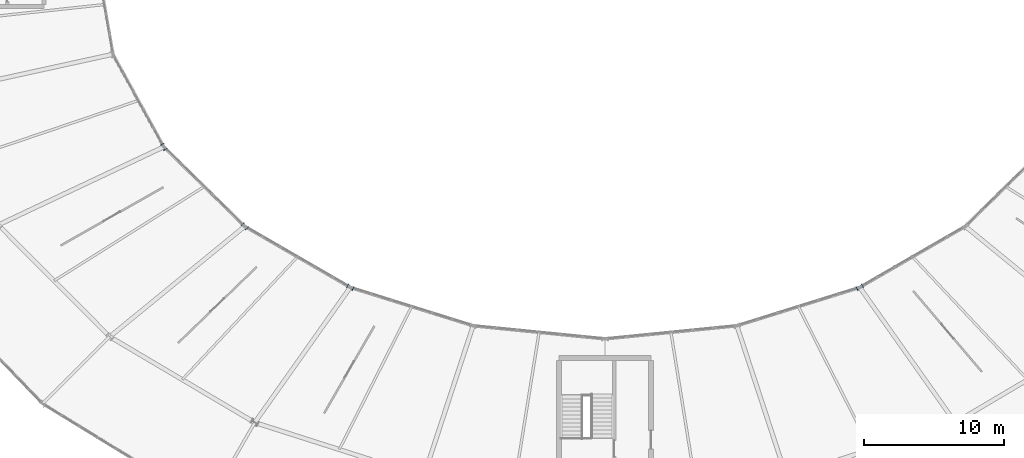
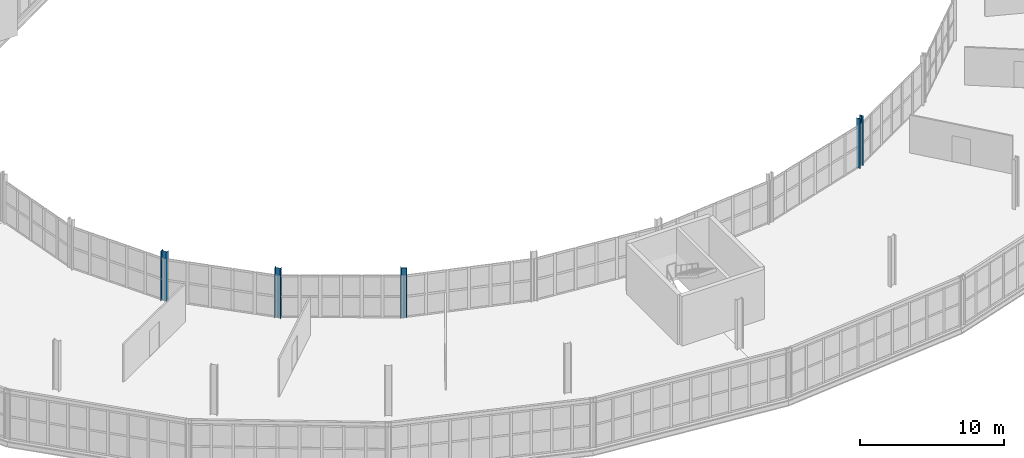
# One storey, part 13 of 161: 4 columns.
"""IFC4 building model written with IfcOpenShell, lengths in metres."""

import ifcopenshell
import ifcopenshell.guid

model = None  # the IFC model being written
_history = None  # IfcOwnerHistory: only IFC2X3 demands one
_inside = {}  # id of a spatial element -> (the spatial element, [elements in it])
_under = {}  # id of a project, library or spatial element -> (it, [spatial elements below it])
_declared = {}  # id of a project -> (the project, [libraries it declares])
_typed = {}  # id of a type object -> (the type object, [elements of that type])
_made_of = {}  # id of a material, layer set ... -> (it, [elements and type objects made of it])


def new_model(schema):
    """Start an empty IFC model of exactly this schema.

    Asked for "IFC4X3", IfcOpenShell would pick the latest addendum, in which some entities
    have other attributes; the version numbers below select the first issue.
    IFC2X3 requires an IfcOwnerHistory on every rooted entity: one is made here for all.
    """
    global model, _history
    if schema == "IFC4X3":
        model = ifcopenshell.file(schema_version=(4, 3, 0, 0))
    else:
        model = ifcopenshell.file(schema=schema)
    _inside.clear()
    _under.clear()
    _declared.clear()
    _typed.clear()
    _made_of.clear()
    _history = None
    if model.schema == "IFC2X3":
        org = make("IfcOrganization", Name="unknown")
        user = make(
            "IfcPersonAndOrganization",
            ThePerson=make("IfcPerson", FamilyName="unknown"),
            TheOrganization=org,
        )
        app = make(
            "IfcApplication",
            ApplicationDeveloper=org,
            Version="unknown",
            ApplicationFullName="unknown",
            ApplicationIdentifier="unknown",
        )
        _history = make(
            "IfcOwnerHistory",
            OwningUser=user,
            OwningApplication=app,
            ChangeAction="ADDED",
            CreationDate=0,
        )
    return model


def make(cls, **values):
    """One entity of the class cls with the attributes given. An attribute that is None is left unset."""
    return model.create_entity(
        cls, **{name: value for name, value in values.items() if value is not None}
    )


def rooted(cls, **values):
    """An entity with a GlobalId (a new one), such as an element, a storey or a relation."""
    return make(cls, GlobalId=ifcopenshell.guid.new(), OwnerHistory=_history, **values)


def si_unit(unit_type, name, prefix=None):
    """IfcSIUnit, for example si_unit("LENGTHUNIT", "METRE", prefix="MILLI")."""
    return make("IfcSIUnit", UnitType=unit_type, Prefix=prefix, Name=name)


def assignment(units):
    """IfcUnitAssignment: the units of a project."""
    return None if units is None else make("IfcUnitAssignment", Units=units)


def point(xyz):
    """IfcCartesianPoint."""
    return None if xyz is None else make("IfcCartesianPoint", Coordinates=xyz)


def direction(xyz):
    """IfcDirection."""
    return None if xyz is None else make("IfcDirection", DirectionRatios=xyz)


def frame(location, z_axis=None, x_axis=None):
    """IfcAxis2Placement3D, a coordinate frame: its origin and axes. An axis left out is left unset."""
    return make(
        "IfcAxis2Placement3D",
        Location=point(location),
        Axis=direction(z_axis),
        RefDirection=direction(x_axis),
    )


def frame_2d(location, x_axis=None):
    """IfcAxis2Placement2D, a coordinate frame in the plane: its origin and x axis."""
    return make(
        "IfcAxis2Placement2D", Location=point(location), RefDirection=direction(x_axis)
    )


def origin():
    """The frame at (0, 0, 0) with its axes left unset."""
    return frame((0.0, 0.0, 0.0))


def origin_2d():
    """The frame at (0, 0) in the plane with its x axis left unset."""
    return frame_2d((0.0, 0.0))


def place(relative_to, where):
    """IfcLocalPlacement: puts the frame where relative to a parent placement (None: the world)."""
    return make(
        "IfcLocalPlacement", PlacementRelTo=relative_to, RelativePlacement=where
    )


def context(
    kind, dimensions, precision=None, world=None, true_north=None, identifier=None
):
    """IfcGeometricRepresentationContext, for example the 3D "Model" context."""
    return make(
        "IfcGeometricRepresentationContext",
        ContextIdentifier=identifier,
        ContextType=kind,
        CoordinateSpaceDimension=dimensions,
        Precision=precision,
        WorldCoordinateSystem=world,
        TrueNorth=true_north,
    )


def subcontext(parent, identifier, kind, view, scale=None):
    """IfcGeometricRepresentationSubContext, for example "Body" below "Model"."""
    return make(
        "IfcGeometricRepresentationSubContext",
        ContextIdentifier=identifier,
        ContextType=kind,
        ParentContext=parent,
        TargetScale=scale,
        TargetView=view,
    )


def project(units=None, contexts=None):
    """IfcProject with its units and contexts."""
    return rooted(
        "IfcProject",
        Name="project",
        RepresentationContexts=contexts,
        UnitsInContext=assignment(units),
    )


def spatial(cls, under=None, at=None, **own):
    """A site, building, storey or space (cls), placed at a placement, below another one or the project."""
    s = rooted(cls, ObjectPlacement=at, **own)
    if under is not None:
        _under.setdefault(under.id(), (under, []))[1].append(s)
    return s


def profile(cls, at=None, kind="AREA", **sizes):
    """A parametric profile (cls). Its sizes go by their IFC names, for example OverallWidth=200.0."""
    return make(cls, ProfileType=kind, Position=at, **sizes)


def i_section(**sizes):
    """IfcIShapeProfileDef."""
    return profile("IfcIShapeProfileDef", **sizes)


def extrude(swept, where, along, depth):
    """IfcExtrudedAreaSolid: the profile swept, set in the frame where, extruded along a direction by depth."""
    return make(
        "IfcExtrudedAreaSolid",
        SweptArea=swept,
        Position=where,
        ExtrudedDirection=direction(along),
        Depth=depth,
    )


def shape(context_of_items, identifier, shape_type, items):
    """IfcShapeRepresentation: the items that make up one representation, for example the "Body"."""
    return make(
        "IfcShapeRepresentation",
        ContextOfItems=context_of_items,
        RepresentationIdentifier=identifier,
        RepresentationType=shape_type,
        Items=items,
    )


def material(Name=None, Category=None):
    """IfcMaterial."""
    return make("IfcMaterial", Name=Name, Category=Category)


def material_profile(
    of_material, cross_section, Name=None, Category=None, Priority=None
):
    """IfcMaterialProfile: a cross section and its material."""
    return make(
        "IfcMaterialProfile",
        Name=Name,
        Material=of_material,
        Profile=cross_section,
        Priority=Priority,
        Category=Category,
    )


def profile_set(profiles, Name=None, composite=None):
    """IfcMaterialProfileSet."""
    return make(
        "IfcMaterialProfileSet",
        Name=Name,
        MaterialProfiles=profiles,
        CompositeProfile=composite,
    )


def made_of(thing, what):
    """Note that an element or type object is made of a material, layer set ...; save() writes the relation."""
    if what is not None:
        _made_of.setdefault(what.id(), (what, []))[1].append(thing)
    return thing


def type_object(cls, material=None, **own):
    """A type object (cls), such as IfcWallType, which elements share."""
    return made_of(rooted(cls, **own), material)


def element(
    cls,
    number,
    at=None,
    inside=None,
    cuts=None,
    type_object=None,
    material=None,
    context=None,
    identifier="Body",
    shape_type=None,
    held_by="IfcProductDefinitionShape",
    body=None,
    shapes=None,
    **own,
):
    """One element of the class cls, such as IfcWall. Its Tag is "e" and its number.

    at: its placement. inside: the storey or other place that contains it. cuts: it is an
    opening in that element (IfcRelVoidsElement). A single representation is given by context,
    identifier, shape_type and body (its items); several are given by shapes. held_by: the class
    of the entity that holds the representations. save() writes the other relations.
    """
    e = rooted(cls, Tag="e%d" % number, ObjectPlacement=at, **own)
    if body is not None:
        shapes = [shape(context, identifier, shape_type, body)]
    if shapes is not None:
        e.Representation = make(held_by, Representations=shapes)
    if inside is not None:
        _inside.setdefault(inside.id(), (inside, []))[1].append(e)
    if cuts is not None:
        rooted(
            "IfcRelVoidsElement", RelatingBuildingElement=cuts, RelatedOpeningElement=e
        )
    if type_object is not None:
        _typed.setdefault(type_object.id(), (type_object, []))[1].append(e)
    return made_of(e, material)


def aggregate(whole, parts):
    """IfcRelAggregates: a whole, such as a stair, and the parts it consists of."""
    return rooted("IfcRelAggregates", RelatingObject=whole, RelatedObjects=parts)


def save(model, path):
    """Write the relations noted so far, then the file.

    IfcRelAggregates (storeys below a building ...), IfcRelContainedInSpatialStructure (elements
    in a storey), IfcRelDefinesByType, IfcRelAssociatesMaterial and IfcRelDeclares: one each for
    every whole, place, type object, material and project.
    """
    for whole, parts in _under.values():
        aggregate(whole, parts)
    for where, things in _inside.values():
        rooted(
            "IfcRelContainedInSpatialStructure",
            RelatedElements=things,
            RelatingStructure=where,
        )
    for kind, things in _typed.values():
        rooted("IfcRelDefinesByType", RelatedObjects=things, RelatingType=kind)
    for what, things in _made_of.values():
        rooted("IfcRelAssociatesMaterial", RelatedObjects=things, RelatingMaterial=what)
    for by, libraries in _declared.values():
        rooted("IfcRelDeclares", RelatingContext=by, RelatedDefinitions=libraries)
    model.write(path)


model = new_model("IFC4")

# Units and contexts
model_context = context("Model", 3, precision=1e-05, world=origin(), true_north=direction((0.0, 1.0)))
body_context = subcontext(model_context, "Body", "Model", "MODEL_VIEW")
ifc_project = project(units=[si_unit("LENGTHUNIT", "METRE"), si_unit("AREAUNIT", "SQUARE_METRE"), si_unit("VOLUMEUNIT", "CUBIC_METRE"), si_unit("PLANEANGLEUNIT", "RADIAN"), si_unit("MASSUNIT", "GRAM", prefix="KILO")], contexts=[model_context])

# Site, building, storey
site_placement = place(None, origin())
site = spatial("IfcSite", under=ifc_project, at=site_placement, CompositionType="ELEMENT")
building_placement = place(site_placement, origin())
building = spatial("IfcBuilding", under=site, at=building_placement, Name="Kildeholm Park Wholesale Market", CompositionType="ELEMENT")
storey_placement = place(building_placement, frame((0.0, 0.0, 5.39990234375)))
storey = spatial("IfcBuildingStorey", under=building, at=storey_placement, Name="L01", CompositionType="ELEMENT", Elevation=5.39990234375)

# Columns
ifc_material = material(Name="Steel S355", Category="steel")
ifc_material_profile = material_profile(ifc_material, i_section(OverallWidth=0.300048828125, OverallDepth=0.449951171875, WebThickness=0.013916015625, FlangeThickness=0.02587890625, FilletRadius=0.027099609375, at=origin_2d()), Name="HEB 450")
ifc_profile_set = profile_set([ifc_material_profile], Name="Steel S355")
column_type = type_object("IfcColumnType", Name="Column C-S06 HEB 450", PredefinedType="COLUMN", material=ifc_profile_set)
for number, where, z_axis, x_axis, name in (
    (1, (67.389892578125, 75.75, 0.0), (0.0, 0.0, 1.0), (-0.866025403784, -0.5, 0.0), "Column V1-IN-14 L01 COL-0128"),
    (2, (73.19091796875, 70.054931640625, 0.0), (0.0, 0.0, 1.0), (-0.707106781187, -0.707106781187, 0.0), "Column V1-IN-15 L01 COL-0137"),
    (3, (80.75, 65.68408203125, 0.0), (0.0, 0.0, 1.0), (-0.5, -0.866025403784, 0.0), "Column V1-IN-16 L01 COL-0146"),
    (4, (117.25, 65.68408203125, 0.0), (0.0, 0.0, 1.0), (0.5, -0.866025403784, 0.0), "Column V1-IN-20 L01 COL-0182"),
):
    element("IfcColumn", number, at=place(storey_placement, frame(where, z_axis=z_axis, x_axis=x_axis)), inside=storey, type_object=column_type, Name=name, PredefinedType="COLUMN", context=body_context, shape_type="SweptSolid", body=[
        extrude(i_section(OverallWidth=0.300048828125, OverallDepth=0.449951171875, WebThickness=0.013916015625, FlangeThickness=0.02587890625, FilletRadius=0.027099609375, at=origin_2d()), origin(), (0.0, 0.0, 1.0), 4.2001953125),
    ])

save(model, "model.ifc")
